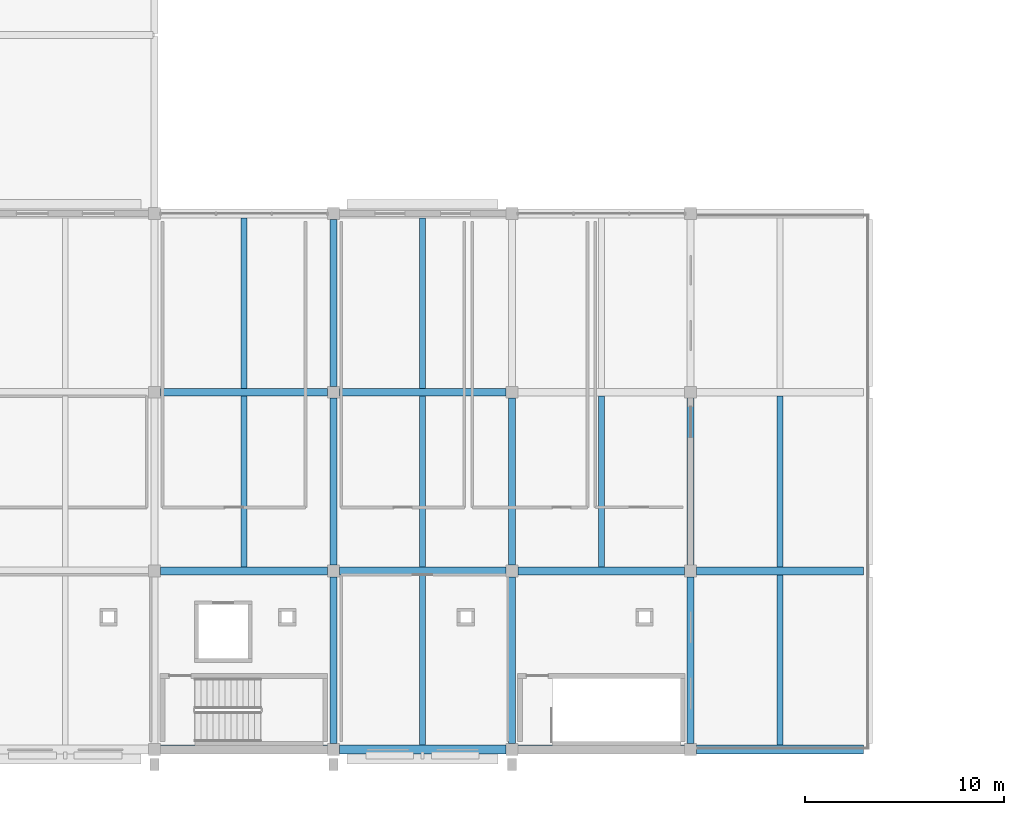
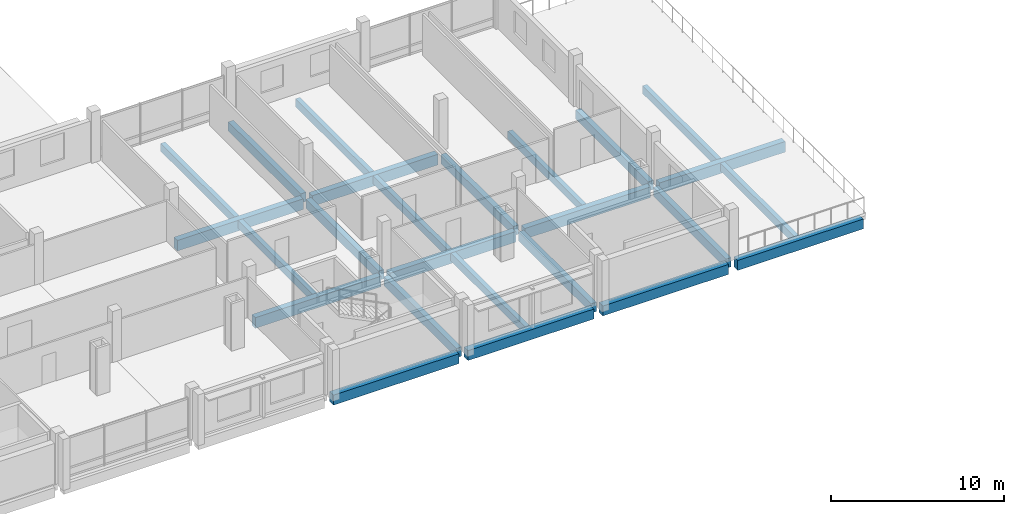
# One storey, part 21 of 163: 25 beams.
"""IFC4 building model written with IfcOpenShell, lengths in metres."""

from ifc_helpers import new_model, si_unit, direction, frame, origin, origin_2d, place, context, subcontext, project, spatial, rectangle, extrude, material, material_profile, profile_set, type_object, element, save


model = new_model("IFC4")

# Units and contexts
model_context = context("Model", 3, precision=1e-05, world=origin(), true_north=direction((0.0, 1.0)))
body_context = subcontext(model_context, "Body", "Model", "MODEL_VIEW")
ifc_project = project(units=[si_unit("LENGTHUNIT", "METRE"), si_unit("AREAUNIT", "SQUARE_METRE"), si_unit("VOLUMEUNIT", "CUBIC_METRE"), si_unit("PLANEANGLEUNIT", "RADIAN"), si_unit("MASSUNIT", "GRAM", prefix="KILO")], contexts=[model_context])

# Site, building, storey
site_placement = place(None, origin())
site = spatial("IfcSite", under=ifc_project, at=site_placement, CompositionType="ELEMENT")
building_placement = place(site_placement, origin())
building = spatial("IfcBuilding", under=site, at=building_placement, Name="Tharagai Park Tramway Depot", CompositionType="ELEMENT")
storey_placement = place(building_placement, frame((0.0, 0.0, 8.39990234375)))
storey = spatial("IfcBuildingStorey", under=building, at=storey_placement, Name="L02", CompositionType="ELEMENT", Elevation=8.39990234375)

# Beams
ifc_material = material(Name="Concrete M35", Category="concrete")
ifc_material_profile_1 = material_profile(ifc_material, rectangle(XDim=0.35009765625, YDim=0.64990234375, at=origin_2d()), Name="RC 350x650")
ifc_profile_set_1 = profile_set([ifc_material_profile_1], Name="Concrete M35")
beam_type_1 = type_object("IfcBeamType", Name="BM-13", PredefinedType="BEAM", material=ifc_profile_set_1)
for number, where, z_axis, x_axis, name in (
    (1, (72.0, 0.300048828125, -0.574951171875), (0.0, 1.0, 0.0), (-1.0, 0.0, 0.0), "L02 Grid Beam BM-13"),
    (2, (72.0, 9.300048828125, -0.574951171875), (0.0, 1.0, 0.0), (-1.0, 0.0, 0.0), "L02 Grid Beam BM-13"),
    (3, (72.0, 18.300048828125, -0.574951171875), (0.0, 1.0, 0.0), (-1.0, 0.0, 0.0), "L02 Grid Beam BM-13"),
    (4, (81.0, 0.300048828125, -0.574951171875), (0.0, 1.0, 0.0), (-1.0, 0.0, 0.0), "L02 Grid Beam BM-13"),
    (5, (81.0, 9.300048828125, -0.574951171875), (0.0, 1.0, 0.0), (-1.0, 0.0, 0.0), "L02 Grid Beam BM-13"),
    (6, (90.0, 0.300048828125, -0.574951171875), (0.0, 1.0, 0.0), (-1.0, 0.0, 0.0), "L02 Grid Beam BM-13"),
    (7, (90.0, 9.300048828125, -0.574951171875), (0.0, 1.0, 0.0), (-1.0, 0.0, 0.0), "L02 Grid Beam BM-13"),
):
    element("IfcBeam", number, at=place(storey_placement, frame(where, z_axis=z_axis, x_axis=x_axis)), inside=storey, type_object=beam_type_1, Name=name, PredefinedType="BEAM", context=body_context, shape_type="SweptSolid", body=[
        extrude(rectangle(XDim=0.35009765625, YDim=0.64990234375, at=origin_2d()), origin(), (0.0, 0.0, 1.0), 8.39990234375),
    ])
ifc_material_profile_2 = material_profile(ifc_material, rectangle(XDim=0.39990234375, YDim=0.75, at=origin_2d()), Name="RC 400x750")
ifc_profile_set_2 = profile_set([ifc_material_profile_2], Name="Concrete M35")
beam_type_2 = type_object("IfcBeamType", Name="BM-19", PredefinedType="BEAM", material=ifc_profile_set_2)
for number, where, z_axis, x_axis, name in (
    (8, (63.300048828125, 9.0, -0.625), (1.0, 0.0, 0.0), (0.0, 1.0, 0.0), "L02 Grid Beam BM-19"),
    (9, (72.300048828125, 9.0, -0.625), (1.0, 0.0, 0.0), (0.0, 1.0, 0.0), "L02 Grid Beam BM-19"),
    (10, (81.300048828125, 9.0, -0.625), (1.0, 0.0, 0.0), (0.0, 1.0, 0.0), "L02 Grid Beam BM-19"),
    (11, (90.300048828125, 9.0, -0.56494140625), (1.0, 0.0, 0.0), (0.0, 1.0, 0.0), "L02 Grid Beam BM-19"),
    (12, (63.300048828125, 18.0, -0.625), (1.0, 0.0, 0.0), (0.0, 1.0, 0.0), "L02 Grid Beam BM-19"),
    (13, (72.300048828125, 18.0, -0.625), (1.0, 0.0, 0.0), (0.0, 1.0, 0.0), "L02 Grid Beam BM-19"),
):
    element("IfcBeam", number, at=place(storey_placement, frame(where, z_axis=z_axis, x_axis=x_axis)), inside=storey, type_object=beam_type_2, Name=name, PredefinedType="BEAM", context=body_context, shape_type="SweptSolid", body=[
        extrude(rectangle(XDim=0.39990234375, YDim=0.75, at=origin_2d()), origin(), (0.0, 0.0, 1.0), 8.39990234375),
    ])
ifc_material_profile_3 = material_profile(ifc_material, rectangle(XDim=0.300048828125, YDim=0.550048828125, at=origin_2d()), Name="RC 300x550")
ifc_profile_set_3 = profile_set([ifc_material_profile_3], Name="Concrete M35")
beam_type_3 = type_object("IfcBeamType", Name="JT-06", PredefinedType="JOIST", material=ifc_profile_set_3)
beam_1_placement = place(storey_placement, frame((67.5, 9.199951171875, -0.52490234375), z_axis=(0.0, 1.0, 0.0), x_axis=(-1.0, 0.0, 0.0)))
element("IfcBeam", 14, at=beam_1_placement, inside=storey, type_object=beam_type_3, Name="L02 Secondary Joist JT-06", PredefinedType="JOIST", context=body_context, shape_type="SweptSolid", body=[
    extrude(rectangle(XDim=0.300048828125, YDim=0.550048828125, at=origin_2d()), origin(), (0.0, 0.0, 1.0), 8.60009765625),
])
for number, where, z_axis, x_axis, name in (
    (15, (67.5, 18.199951171875, -0.52490234375), (0.0, 1.0, 0.0), (-1.0, 0.0, 0.0), "L02 Secondary Joist JT-06"),
    (16, (76.5, 0.22509765625, -0.52490234375), (0.0, 1.0, 0.0), (-1.0, 0.0, 0.0), "L02 Secondary Joist JT-06"),
):
    element("IfcBeam", number, at=place(storey_placement, frame(where, z_axis=z_axis, x_axis=x_axis)), inside=storey, type_object=beam_type_3, Name=name, PredefinedType="JOIST", context=body_context, shape_type="SweptSolid", body=[
        extrude(rectangle(XDim=0.300048828125, YDim=0.550048828125, at=origin_2d()), origin(), (0.0, 0.0, 1.0), 8.574951171875),
    ])
beam_2_placement = place(storey_placement, frame((76.5, 9.199951171875, -0.52490234375), z_axis=(0.0, 1.0, 0.0), x_axis=(-1.0, 0.0, 0.0)))
element("IfcBeam", 17, at=beam_2_placement, inside=storey, type_object=beam_type_3, Name="L02 Secondary Joist JT-06", PredefinedType="JOIST", context=body_context, shape_type="SweptSolid", body=[
    extrude(rectangle(XDim=0.300048828125, YDim=0.550048828125, at=origin_2d()), origin(), (0.0, 0.0, 1.0), 8.60009765625),
])
beam_3_placement = place(storey_placement, frame((76.5, 18.199951171875, -0.52490234375), z_axis=(0.0, 1.0, 0.0), x_axis=(-1.0, 0.0, 0.0)))
element("IfcBeam", 18, at=beam_3_placement, inside=storey, type_object=beam_type_3, Name="L02 Secondary Joist JT-06", PredefinedType="JOIST", context=body_context, shape_type="SweptSolid", body=[
    extrude(rectangle(XDim=0.300048828125, YDim=0.550048828125, at=origin_2d()), origin(), (0.0, 0.0, 1.0), 8.574951171875),
])
beam_4_placement = place(storey_placement, frame((85.5, 9.199951171875, -0.52490234375), z_axis=(0.0, 1.0, 0.0), x_axis=(-1.0, 0.0, 0.0)))
element("IfcBeam", 19, at=beam_4_placement, inside=storey, type_object=beam_type_3, Name="L02 Secondary Joist JT-06", PredefinedType="JOIST", context=body_context, shape_type="SweptSolid", body=[
    extrude(rectangle(XDim=0.300048828125, YDim=0.550048828125, at=origin_2d()), origin(), (0.0, 0.0, 1.0), 8.60009765625),
])
beam_5_placement = place(storey_placement, frame((94.5, 0.22509765625, -0.46484375), z_axis=(0.0, 1.0, 0.0), x_axis=(-1.0, 0.0, 0.0)))
element("IfcBeam", 20, at=beam_5_placement, inside=storey, type_object=beam_type_3, Name="L02 Secondary Joist JT-06", PredefinedType="JOIST", context=body_context, shape_type="SweptSolid", body=[
    extrude(rectangle(XDim=0.300048828125, YDim=0.550048828125, at=origin_2d()), origin(), (0.0, 0.0, 1.0), 8.574951171875),
])
beam_6_placement = place(storey_placement, frame((94.5, 9.199951171875, -0.46484375), z_axis=(0.0, 1.0, 0.0), x_axis=(-1.0, 0.0, 0.0)))
element("IfcBeam", 21, at=beam_6_placement, inside=storey, type_object=beam_type_3, Name="L02 Secondary Joist JT-06", PredefinedType="JOIST", context=body_context, shape_type="SweptSolid", body=[
    extrude(rectangle(XDim=0.300048828125, YDim=0.550048828125, at=origin_2d()), origin(), (0.0, 0.0, 1.0), 8.60009765625),
])
ifc_material_profile_4 = material_profile(ifc_material, rectangle(XDim=0.449951171875, YDim=0.699951171875, at=origin_2d()), Name="RC 450x700")
ifc_profile_set_4 = profile_set([ifc_material_profile_4], Name="Concrete M35")
beam_type_4 = type_object("IfcBeamType", Name="SP-01", PredefinedType="SPANDREL", material=ifc_profile_set_4)
for number, where, z_axis, x_axis, name in (
    (22, (63.300048828125, 0.0, -0.599853515625), (1.0, 0.0, 0.0), (0.0, 1.0, 0.0), "L02 Grid Beam SP-01"),
    (23, (72.300048828125, 0.0, -0.599853515625), (1.0, 0.0, 0.0), (0.0, 1.0, 0.0), "L02 Grid Beam SP-01"),
    (24, (81.300048828125, 0.0, -0.599853515625), (1.0, 0.0, 0.0), (0.0, 1.0, 0.0), "L02 Grid Beam SP-01"),
    (25, (90.300048828125, 0.0, -0.539794921875), (1.0, 0.0, 0.0), (0.0, 1.0, 0.0), "L02 Grid Beam SP-01"),
):
    element("IfcBeam", number, at=place(storey_placement, frame(where, z_axis=z_axis, x_axis=x_axis)), inside=storey, type_object=beam_type_4, Name=name, PredefinedType="SPANDREL", context=body_context, shape_type="SweptSolid", body=[
        extrude(rectangle(XDim=0.449951171875, YDim=0.699951171875, at=origin_2d()), origin(), (0.0, 0.0, 1.0), 8.39990234375),
    ])

save(model, "model.ifc")
